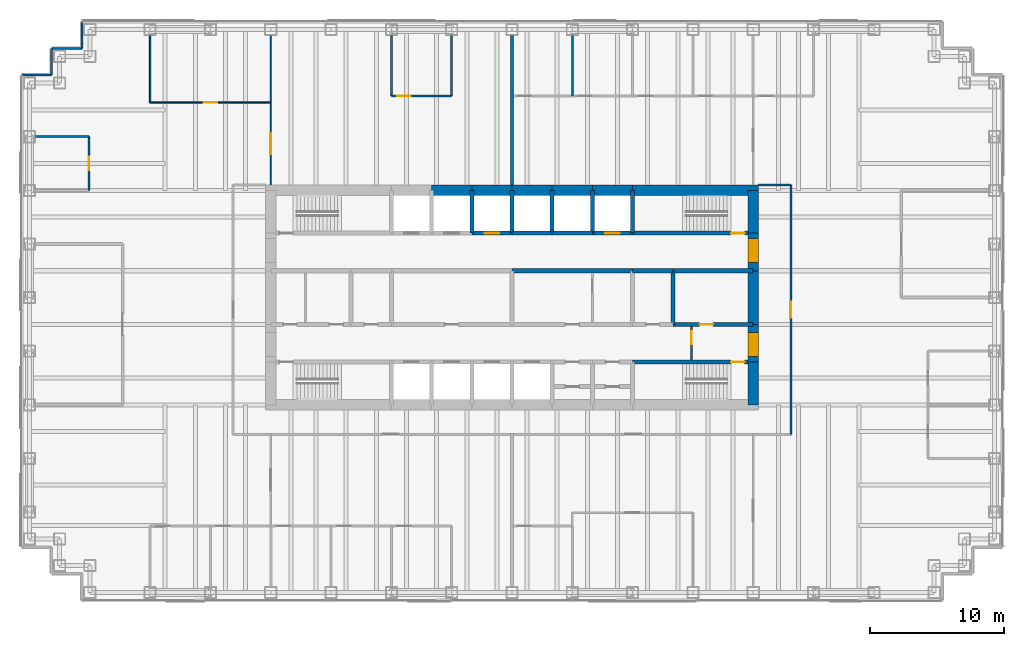
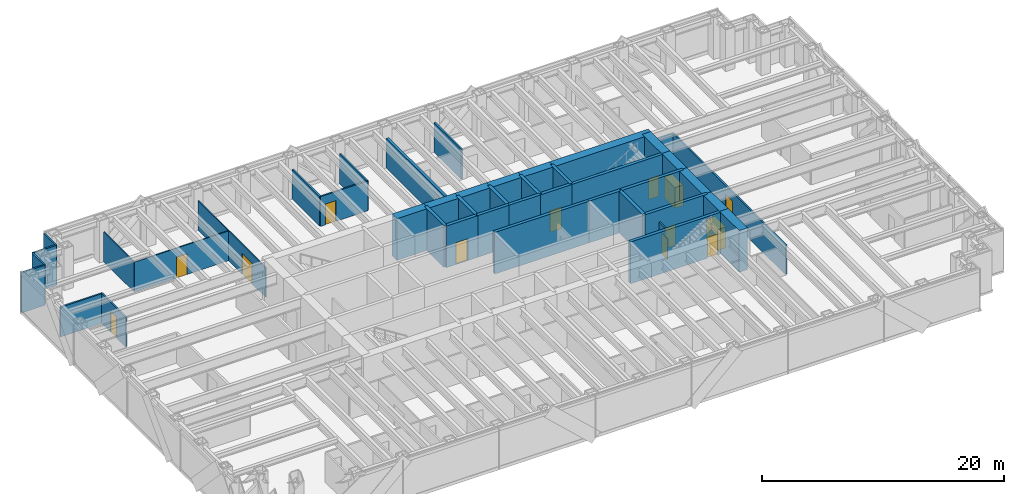
# One storey, part 13 of 15: 44 walls, 13 doors, 13 openings.
"""IFC4 building model written with IfcOpenShell, lengths in metres."""

import ifcopenshell
import ifcopenshell.guid

model = None  # the IFC model being written
_history = None  # IfcOwnerHistory: only IFC2X3 demands one
_inside = {}  # id of a spatial element -> (the spatial element, [elements in it])
_under = {}  # id of a project, library or spatial element -> (it, [spatial elements below it])
_declared = {}  # id of a project -> (the project, [libraries it declares])
_typed = {}  # id of a type object -> (the type object, [elements of that type])
_made_of = {}  # id of a material, layer set ... -> (it, [elements and type objects made of it])


def new_model(schema):
    """Start an empty IFC model of exactly this schema.

    Asked for "IFC4X3", IfcOpenShell would pick the latest addendum, in which some entities
    have other attributes; the version numbers below select the first issue.
    IFC2X3 requires an IfcOwnerHistory on every rooted entity: one is made here for all.
    """
    global model, _history
    if schema == "IFC4X3":
        model = ifcopenshell.file(schema_version=(4, 3, 0, 0))
    else:
        model = ifcopenshell.file(schema=schema)
    _inside.clear()
    _under.clear()
    _declared.clear()
    _typed.clear()
    _made_of.clear()
    _history = None
    if model.schema == "IFC2X3":
        org = make("IfcOrganization", Name="unknown")
        user = make(
            "IfcPersonAndOrganization",
            ThePerson=make("IfcPerson", FamilyName="unknown"),
            TheOrganization=org,
        )
        app = make(
            "IfcApplication",
            ApplicationDeveloper=org,
            Version="unknown",
            ApplicationFullName="unknown",
            ApplicationIdentifier="unknown",
        )
        _history = make(
            "IfcOwnerHistory",
            OwningUser=user,
            OwningApplication=app,
            ChangeAction="ADDED",
            CreationDate=0,
        )
    return model


def make(cls, **values):
    """One entity of the class cls with the attributes given. An attribute that is None is left unset."""
    return model.create_entity(
        cls, **{name: value for name, value in values.items() if value is not None}
    )


def rooted(cls, **values):
    """An entity with a GlobalId (a new one), such as an element, a storey or a relation."""
    return make(cls, GlobalId=ifcopenshell.guid.new(), OwnerHistory=_history, **values)


def si_unit(unit_type, name, prefix=None):
    """IfcSIUnit, for example si_unit("LENGTHUNIT", "METRE", prefix="MILLI")."""
    return make("IfcSIUnit", UnitType=unit_type, Prefix=prefix, Name=name)


def assignment(units):
    """IfcUnitAssignment: the units of a project."""
    return None if units is None else make("IfcUnitAssignment", Units=units)


def point(xyz):
    """IfcCartesianPoint."""
    return None if xyz is None else make("IfcCartesianPoint", Coordinates=xyz)


def direction(xyz):
    """IfcDirection."""
    return None if xyz is None else make("IfcDirection", DirectionRatios=xyz)


def frame(location, z_axis=None, x_axis=None):
    """IfcAxis2Placement3D, a coordinate frame: its origin and axes. An axis left out is left unset."""
    return make(
        "IfcAxis2Placement3D",
        Location=point(location),
        Axis=direction(z_axis),
        RefDirection=direction(x_axis),
    )


def frame_2d(location, x_axis=None):
    """IfcAxis2Placement2D, a coordinate frame in the plane: its origin and x axis."""
    return make(
        "IfcAxis2Placement2D", Location=point(location), RefDirection=direction(x_axis)
    )


def origin():
    """The frame at (0, 0, 0) with its axes left unset."""
    return frame((0.0, 0.0, 0.0))


def place(relative_to, where):
    """IfcLocalPlacement: puts the frame where relative to a parent placement (None: the world)."""
    return make(
        "IfcLocalPlacement", PlacementRelTo=relative_to, RelativePlacement=where
    )


def context(
    kind, dimensions, precision=None, world=None, true_north=None, identifier=None
):
    """IfcGeometricRepresentationContext, for example the 3D "Model" context."""
    return make(
        "IfcGeometricRepresentationContext",
        ContextIdentifier=identifier,
        ContextType=kind,
        CoordinateSpaceDimension=dimensions,
        Precision=precision,
        WorldCoordinateSystem=world,
        TrueNorth=true_north,
    )


def subcontext(parent, identifier, kind, view, scale=None):
    """IfcGeometricRepresentationSubContext, for example "Body" below "Model"."""
    return make(
        "IfcGeometricRepresentationSubContext",
        ContextIdentifier=identifier,
        ContextType=kind,
        ParentContext=parent,
        TargetScale=scale,
        TargetView=view,
    )


def project(units=None, contexts=None):
    """IfcProject with its units and contexts."""
    return rooted(
        "IfcProject",
        Name="project",
        RepresentationContexts=contexts,
        UnitsInContext=assignment(units),
    )


def spatial(cls, under=None, at=None, **own):
    """A site, building, storey or space (cls), placed at a placement, below another one or the project."""
    s = rooted(cls, ObjectPlacement=at, **own)
    if under is not None:
        _under.setdefault(under.id(), (under, []))[1].append(s)
    return s


def profile(cls, at=None, kind="AREA", **sizes):
    """A parametric profile (cls). Its sizes go by their IFC names, for example OverallWidth=200.0."""
    return make(cls, ProfileType=kind, Position=at, **sizes)


def rectangle(**sizes):
    """IfcRectangleProfileDef."""
    return profile("IfcRectangleProfileDef", **sizes)


def extrude(swept, where, along, depth):
    """IfcExtrudedAreaSolid: the profile swept, set in the frame where, extruded along a direction by depth."""
    return make(
        "IfcExtrudedAreaSolid",
        SweptArea=swept,
        Position=where,
        ExtrudedDirection=direction(along),
        Depth=depth,
    )


def shape(context_of_items, identifier, shape_type, items):
    """IfcShapeRepresentation: the items that make up one representation, for example the "Body"."""
    return make(
        "IfcShapeRepresentation",
        ContextOfItems=context_of_items,
        RepresentationIdentifier=identifier,
        RepresentationType=shape_type,
        Items=items,
    )


def material(Name=None, Category=None):
    """IfcMaterial."""
    return make("IfcMaterial", Name=Name, Category=Category)


def layer(
    of_material, thickness, ventilated=None, Name=None, Category=None, Priority=None
):
    """IfcMaterialLayer: one layer of a wall or slab, of a material (None: an air gap)."""
    return make(
        "IfcMaterialLayer",
        Material=of_material,
        LayerThickness=thickness,
        IsVentilated=ventilated,
        Name=Name,
        Category=Category,
        Priority=Priority,
    )


def layer_set(layers, Name=None):
    """IfcMaterialLayerSet."""
    return make("IfcMaterialLayerSet", MaterialLayers=layers, LayerSetName=Name)


def made_of(thing, what):
    """Note that an element or type object is made of a material, layer set ...; save() writes the relation."""
    if what is not None:
        _made_of.setdefault(what.id(), (what, []))[1].append(thing)
    return thing


def type_object(cls, material=None, **own):
    """A type object (cls), such as IfcWallType, which elements share."""
    return made_of(rooted(cls, **own), material)


def element(
    cls,
    number,
    at=None,
    inside=None,
    cuts=None,
    type_object=None,
    material=None,
    context=None,
    identifier="Body",
    shape_type=None,
    held_by="IfcProductDefinitionShape",
    body=None,
    shapes=None,
    **own,
):
    """One element of the class cls, such as IfcWall. Its Tag is "e" and its number.

    at: its placement. inside: the storey or other place that contains it. cuts: it is an
    opening in that element (IfcRelVoidsElement). A single representation is given by context,
    identifier, shape_type and body (its items); several are given by shapes. held_by: the class
    of the entity that holds the representations. save() writes the other relations.
    """
    e = rooted(cls, Tag="e%d" % number, ObjectPlacement=at, **own)
    if body is not None:
        shapes = [shape(context, identifier, shape_type, body)]
    if shapes is not None:
        e.Representation = make(held_by, Representations=shapes)
    if inside is not None:
        _inside.setdefault(inside.id(), (inside, []))[1].append(e)
    if cuts is not None:
        rooted(
            "IfcRelVoidsElement", RelatingBuildingElement=cuts, RelatedOpeningElement=e
        )
    if type_object is not None:
        _typed.setdefault(type_object.id(), (type_object, []))[1].append(e)
    return made_of(e, material)


def fill(opening, filler):
    """IfcRelFillsElement: the door or window that sits in an opening."""
    return rooted(
        "IfcRelFillsElement",
        RelatingOpeningElement=opening,
        RelatedBuildingElement=filler,
    )


def aggregate(whole, parts):
    """IfcRelAggregates: a whole, such as a stair, and the parts it consists of."""
    return rooted("IfcRelAggregates", RelatingObject=whole, RelatedObjects=parts)


def save(model, path):
    """Write the relations noted so far, then the file.

    IfcRelAggregates (storeys below a building ...), IfcRelContainedInSpatialStructure (elements
    in a storey), IfcRelDefinesByType, IfcRelAssociatesMaterial and IfcRelDeclares: one each for
    every whole, place, type object, material and project.
    """
    for whole, parts in _under.values():
        aggregate(whole, parts)
    for where, things in _inside.values():
        rooted(
            "IfcRelContainedInSpatialStructure",
            RelatedElements=things,
            RelatingStructure=where,
        )
    for kind, things in _typed.values():
        rooted("IfcRelDefinesByType", RelatedObjects=things, RelatingType=kind)
    for what, things in _made_of.values():
        rooted("IfcRelAssociatesMaterial", RelatedObjects=things, RelatingMaterial=what)
    for by, libraries in _declared.values():
        rooted("IfcRelDeclares", RelatingContext=by, RelatedDefinitions=libraries)
    model.write(path)


model = new_model("IFC4")

# Units and contexts
model_context = context("Model", 3, precision=1e-05, world=origin(), true_north=direction((0.0, 1.0)))
body_context = subcontext(model_context, "Body", "Model", "MODEL_VIEW")
ifc_project = project(units=[si_unit("LENGTHUNIT", "METRE"), si_unit("AREAUNIT", "SQUARE_METRE"), si_unit("VOLUMEUNIT", "CUBIC_METRE"), si_unit("PLANEANGLEUNIT", "RADIAN"), si_unit("MASSUNIT", "GRAM", prefix="KILO")], contexts=[model_context])

# Site, building, storey
site_placement = place(None, origin())
site = spatial("IfcSite", under=ifc_project, at=site_placement, CompositionType="ELEMENT")
building_placement = place(site_placement, origin())
building = spatial("IfcBuilding", under=site, at=building_placement, Name="Rheinbord Bourse Tower", CompositionType="ELEMENT")
storey_placement = place(building_placement, frame((0.0, 0.0, 248.800048828125)))
storey = spatial("IfcBuildingStorey", under=building, at=storey_placement, Name="L56", CompositionType="ELEMENT", Elevation=248.800048828125)

# Wall, opening, door
ifc_material_1 = material(Name="Concrete C50/60", Category="concrete")
ifc_layer_1 = layer(ifc_material_1, 0.300048828125)
ifc_layer_set_1 = layer_set([ifc_layer_1], Name="CORE INNER WALL 300")
wall_type_1 = type_object("IfcWallType", Name="CORE INNER WALL 300", PredefinedType="SOLIDWALL", material=ifc_layer_set_1)
wall_1_placement = place(storey_placement, frame((45.0, 19.199951171875, 0.0), z_axis=(0.0, 0.0, 1.0), x_axis=(1.0, 0.0, 0.0)))
wall_1 = element("IfcWall", 1, at=wall_1_placement, inside=storey, type_object=wall_type_1, Name="Core wall A8 L56", PredefinedType="SOLIDWALL", context=body_context, shape_type="SweptSolid", body=[
    extrude(rectangle(XDim=9.0, YDim=0.300048828125, at=frame_2d((4.5, 0.0))), origin(), (0.0, 0.0, 1.0), 4.199951171875),
])
opening_1_placement = place(wall_1_placement, frame((7.35009765625, 0.0, 0.0)))
opening_1 = element("IfcOpeningElement", 2, at=opening_1_placement, cuts=wall_1, Name="Opening 5630", PredefinedType="OPENING", context=body_context, shape_type="SweptSolid", body=[
    extrude(rectangle(XDim=1.0, YDim=2.10009765625, at=frame_2d((0.5, 1.050048828125))), frame((0.0, 0.159912109375, 0.0), z_axis=(0.0, -1.0, 0.0), x_axis=(1.0, 0.0, 0.0)), (0.0, 0.0, 1.0), 0.320068359375),
])
ifc_material_2 = material(Name="Steel door", Category="steel")
door_type_1 = type_object("IfcDoorType", Name="DOOR 1000 EI30", OperationType="SINGLE_SWING_LEFT", PredefinedType="DOOR", material=ifc_material_2)
door_1_placement = place(opening_1_placement, origin())
door_1 = element("IfcDoor", 3, at=door_1_placement, inside=storey, type_object=door_type_1, Name="Stair door ST3 L56", OperationType="SINGLE_SWING_RIGHT", OverallHeight=2.10009765625, OverallWidth=1.0, PredefinedType="DOOR", context=body_context, shape_type="SweptSolid", body=[
    extrude(rectangle(XDim=1.0, YDim=2.10009765625, at=frame_2d((0.5, 1.050048828125))), frame((0.0, 0.02490234375, 0.0), z_axis=(0.0, -1.0, 0.0), x_axis=(1.0, 0.0, 0.0)), (0.0, 0.0, 1.0), 0.050048828125),
])
fill(opening_1, door_1)

wall_2_placement = place(storey_placement, frame((33.0, 28.800048828125, 0.0), z_axis=(0.0, 0.0, 1.0), x_axis=(1.0, 0.0, 0.0)))
wall_2 = element("IfcWall", 4, at=wall_2_placement, inside=storey, type_object=wall_type_1, Name="Core wall B4 L56", PredefinedType="SOLIDWALL", context=body_context, shape_type="SweptSolid", body=[
    extrude(rectangle(XDim=3.0, YDim=0.300048828125, at=frame_2d((1.5, 0.0))), origin(), (0.0, 0.0, 1.0), 4.199951171875),
])
opening_2_placement = place(wall_2_placement, frame((0.949951171875, 0.0, 0.0)))
opening_2 = element("IfcOpeningElement", 5, at=opening_2_placement, cuts=wall_2, Name="Opening PC5", PredefinedType="OPENING", context=body_context, shape_type="SweptSolid", body=[
    extrude(rectangle(XDim=1.10009765625, YDim=2.199951171875, at=frame_2d((0.550048828125, 1.10009765625))), frame((0.0, 0.159912109375, 0.0), z_axis=(0.0, -1.0, 0.0), x_axis=(1.0, 0.0, 0.0)), (0.0, 0.0, 1.0), 0.320068359375),
])
ifc_material_3 = material(Name="Steel landing door", Category="steel")
door_type_2 = type_object("IfcDoorType", Name="LIFT LANDING DOOR 1100", OperationType="DOUBLE_DOOR_SLIDING", PredefinedType="USERDEFINED", material=ifc_material_3)
door_2_placement = place(opening_2_placement, origin())
door_2 = element("IfcDoor", 6, at=door_2_placement, inside=storey, type_object=door_type_2, Name="Lift landing door PC5 L56", ObjectType="LIFT LANDING DOOR", OperationType="DOUBLE_DOOR_SLIDING", OverallHeight=2.199951171875, OverallWidth=1.10009765625, PredefinedType="USERDEFINED", context=body_context, shape_type="SweptSolid", body=[
    extrude(rectangle(XDim=1.10009765625, YDim=2.199951171875, at=frame_2d((0.550048828125, 1.10009765625))), frame((0.0, 0.02490234375, 0.0), z_axis=(0.0, -1.0, 0.0), x_axis=(1.0, 0.0, 0.0)), (0.0, 0.0, 1.0), 0.050048828125),
])
fill(opening_2, door_2)

# Walls
for number, where, z_axis, x_axis, name in (
    (7, (36.0, 28.800048828125, 0.0), (0.0, 0.0, 1.0), (1.0, 0.0, 0.0), "Core wall B5 L56"),
    (8, (39.0, 28.800048828125, 0.0), (0.0, 0.0, 1.0), (1.0, 0.0, 0.0), "Core wall B6 L56"),
):
    element("IfcWall", number, at=place(storey_placement, frame(where, z_axis=z_axis, x_axis=x_axis)), inside=storey, type_object=wall_type_1, Name=name, PredefinedType="SOLIDWALL", context=body_context, shape_type="SweptSolid", body=[
        extrude(rectangle(XDim=3.0, YDim=0.300048828125, at=frame_2d((1.5, 0.0))), origin(), (0.0, 0.0, 1.0), 4.199951171875),
    ])

# Wall, opening, door
wall_3_placement = place(storey_placement, frame((42.0, 28.800048828125, 0.0), z_axis=(0.0, 0.0, 1.0), x_axis=(1.0, 0.0, 0.0)))
wall_3 = element("IfcWall", 9, at=wall_3_placement, inside=storey, type_object=wall_type_1, Name="Core wall B7 L56", PredefinedType="SOLIDWALL", context=body_context, shape_type="SweptSolid", body=[
    extrude(rectangle(XDim=3.0, YDim=0.300048828125, at=frame_2d((1.5, 0.0))), origin(), (0.0, 0.0, 1.0), 4.199951171875),
])
opening_3_placement = place(wall_3_placement, frame((0.949951171875, 0.0, 0.0)))
opening_3 = element("IfcOpeningElement", 10, at=opening_3_placement, cuts=wall_3, Name="Opening FL2", PredefinedType="OPENING", context=body_context, shape_type="SweptSolid", body=[
    extrude(rectangle(XDim=1.10009765625, YDim=2.199951171875, at=frame_2d((0.550048828125, 1.10009765625))), frame((0.0, 0.159912109375, 0.0), z_axis=(0.0, -1.0, 0.0), x_axis=(1.0, 0.0, 0.0)), (0.0, 0.0, 1.0), 0.320068359375),
])
door_3_placement = place(opening_3_placement, origin())
door_3 = element("IfcDoor", 11, at=door_3_placement, inside=storey, type_object=door_type_2, Name="Lift landing door FL2 L56", ObjectType="LIFT LANDING DOOR", OperationType="DOUBLE_DOOR_SLIDING", OverallHeight=2.199951171875, OverallWidth=1.10009765625, PredefinedType="USERDEFINED", context=body_context, shape_type="SweptSolid", body=[
    extrude(rectangle(XDim=1.10009765625, YDim=2.199951171875, at=frame_2d((0.550048828125, 1.10009765625))), frame((0.0, 0.02490234375, 0.0), z_axis=(0.0, -1.0, 0.0), x_axis=(1.0, 0.0, 0.0)), (0.0, 0.0, 1.0), 0.050048828125),
])
fill(opening_3, door_3)

wall_4_placement = place(storey_placement, frame((45.0, 28.800048828125, 0.0), z_axis=(0.0, 0.0, 1.0), x_axis=(1.0, 0.0, 0.0)))
wall_4 = element("IfcWall", 12, at=wall_4_placement, inside=storey, type_object=wall_type_1, Name="Core wall B8 L56", PredefinedType="SOLIDWALL", context=body_context, shape_type="SweptSolid", body=[
    extrude(rectangle(XDim=9.0, YDim=0.300048828125, at=frame_2d((4.5, 0.0))), origin(), (0.0, 0.0, 1.0), 4.199951171875),
])
opening_4_placement = place(wall_4_placement, frame((7.35009765625, 0.0, 0.0)))
opening_4 = element("IfcOpeningElement", 13, at=opening_4_placement, cuts=wall_4, Name="Opening 5640", PredefinedType="OPENING", context=body_context, shape_type="SweptSolid", body=[
    extrude(rectangle(XDim=1.0, YDim=2.10009765625, at=frame_2d((0.5, 1.050048828125))), frame((0.0, 0.159912109375, 0.0), z_axis=(0.0, -1.0, 0.0), x_axis=(1.0, 0.0, 0.0)), (0.0, 0.0, 1.0), 0.320068359375),
])
door_4_placement = place(opening_4_placement, origin())
door_4 = element("IfcDoor", 14, at=door_4_placement, inside=storey, type_object=door_type_1, Name="Stair door ST4 L56", OperationType="SINGLE_SWING_RIGHT", OverallHeight=2.10009765625, OverallWidth=1.0, PredefinedType="DOOR", context=body_context, shape_type="SweptSolid", body=[
    extrude(rectangle(XDim=1.0, YDim=2.10009765625, at=frame_2d((0.5, 1.050048828125))), frame((0.0, 0.02490234375, 0.0), z_axis=(0.0, -1.0, 0.0), x_axis=(1.0, 0.0, 0.0)), (0.0, 0.0, 1.0), 0.050048828125),
])
fill(opening_4, door_4)

wall_5_placement = place(storey_placement, frame((48.0, 22.0, 0.0), z_axis=(0.0, 0.0, 1.0), x_axis=(1.0, 0.0, 0.0)))
wall_5 = element("IfcWall", 15, at=wall_5_placement, inside=storey, type_object=wall_type_1, Name="Core wall C6 L56", PredefinedType="SOLIDWALL", context=body_context, shape_type="SweptSolid", body=[
    extrude(rectangle(XDim=6.0, YDim=0.300048828125, at=frame_2d((3.0, 0.0))), origin(), (0.0, 0.0, 1.0), 4.199951171875),
])
opening_5_placement = place(wall_5_placement, frame((2.0, 0.0, 0.0)))
opening_5 = element("IfcOpeningElement", 16, at=opening_5_placement, cuts=wall_5, Name="Opening 56R6", PredefinedType="OPENING", context=body_context, shape_type="SweptSolid", body=[
    extrude(rectangle(XDim=1.0, YDim=2.10009765625, at=frame_2d((0.5, 1.050048828125))), frame((0.0, 0.159912109375, 0.0), z_axis=(0.0, -1.0, 0.0), x_axis=(1.0, 0.0, 0.0)), (0.0, 0.0, 1.0), 0.320068359375),
])
ifc_material_4 = material(Name="Timber door", Category="wood")
door_type_3 = type_object("IfcDoorType", Name="DOOR 1000 WC", OperationType="SINGLE_SWING_LEFT", PredefinedType="DOOR", material=ifc_material_4)
door_5_placement = place(opening_5_placement, origin())
door_5 = element("IfcDoor", 17, at=door_5_placement, inside=storey, type_object=door_type_3, Name="WC women door L56", OperationType="SINGLE_SWING_LEFT", OverallHeight=2.10009765625, OverallWidth=1.0, PredefinedType="DOOR", context=body_context, shape_type="SweptSolid", body=[
    extrude(rectangle(XDim=1.0, YDim=2.10009765625, at=frame_2d((0.5, 1.050048828125))), frame((0.0, 0.02490234375, 0.0), z_axis=(0.0, -1.0, 0.0), x_axis=(1.0, 0.0, 0.0)), (0.0, 0.0, 1.0), 0.050048828125),
])
fill(opening_5, door_5)

# Walls
wall_6_placement = place(storey_placement, frame((36.0, 26.0, 0.0), z_axis=(0.0, 0.0, 1.0), x_axis=(1.0, 0.0, 0.0)))
element("IfcWall", 18, at=wall_6_placement, inside=storey, type_object=wall_type_1, Name="Core wall D4 L56", PredefinedType="SOLIDWALL", context=body_context, shape_type="SweptSolid", body=[
    extrude(rectangle(XDim=9.0, YDim=0.300048828125, at=frame_2d((4.5, 0.0))), origin(), (0.0, 0.0, 1.0), 4.199951171875),
])
wall_7_placement = place(storey_placement, frame((45.0, 26.0, 0.0), z_axis=(0.0, 0.0, 1.0), x_axis=(1.0, 0.0, 0.0)))
element("IfcWall", 19, at=wall_7_placement, inside=storey, type_object=wall_type_1, Name="Core wall D5 L56", PredefinedType="SOLIDWALL", context=body_context, shape_type="SweptSolid", body=[
    extrude(rectangle(XDim=3.0, YDim=0.300048828125, at=frame_2d((1.5, 0.0))), origin(), (0.0, 0.0, 1.0), 4.199951171875),
])
wall_8_placement = place(storey_placement, frame((48.0, 26.0, 0.0), z_axis=(0.0, 0.0, 1.0), x_axis=(1.0, 0.0, 0.0)))
element("IfcWall", 20, at=wall_8_placement, inside=storey, type_object=wall_type_1, Name="Core wall D6 L56", PredefinedType="SOLIDWALL", context=body_context, shape_type="SweptSolid", body=[
    extrude(rectangle(XDim=6.0, YDim=0.300048828125, at=frame_2d((3.0, 0.0))), origin(), (0.0, 0.0, 1.0), 4.199951171875),
])
for number, where, z_axis, x_axis, name in (
    (21, (33.0, 28.800048828125, 0.0), (0.0, 0.0, 1.0), (0.0, 1.0, 0.0), "Core wall NX33 L56"),
    (22, (36.0, 28.800048828125, 0.0), (0.0, 0.0, 1.0), (0.0, 1.0, 0.0), "Core wall NX36 L56"),
    (23, (39.0, 28.800048828125, 0.0), (0.0, 0.0, 1.0), (0.0, 1.0, 0.0), "Core wall NX39 L56"),
    (24, (42.0, 28.800048828125, 0.0), (0.0, 0.0, 1.0), (0.0, 1.0, 0.0), "Core wall NX42 L56"),
    (25, (45.0, 28.800048828125, 0.0), (0.0, 0.0, 1.0), (0.0, 1.0, 0.0), "Core wall NX45 L56"),
):
    element("IfcWall", number, at=place(storey_placement, frame(where, z_axis=z_axis, x_axis=x_axis)), inside=storey, type_object=wall_type_1, Name=name, PredefinedType="SOLIDWALL", context=body_context, shape_type="SweptSolid", body=[
        extrude(rectangle(XDim=3.199951171875, YDim=0.300048828125, at=frame_2d((1.60009765625, 0.0))), origin(), (0.0, 0.0, 1.0), 4.199951171875),
    ])
wall_9_placement = place(storey_placement, frame((48.0, 22.0, 0.0), z_axis=(0.0, 0.0, 1.0), x_axis=(0.0, 1.0, 0.0)))
element("IfcWall", 26, at=wall_9_placement, inside=storey, type_object=wall_type_1, Name="Core wall MX48 L56", PredefinedType="SOLIDWALL", context=body_context, shape_type="SweptSolid", body=[
    extrude(rectangle(XDim=4.0, YDim=0.300048828125, at=frame_2d((2.0, 0.0))), origin(), (0.0, 0.0, 1.0), 4.199951171875),
])

# Wall, opening, door
ifc_material_5 = material(Name="Gypsum board fire partition", Category="gypsum board")
ifc_layer_2 = layer(ifc_material_5, 0.14990234375)
ifc_layer_set_2 = layer_set([ifc_layer_2], Name="CORE PARTITION 150 EI30")
wall_type_2 = type_object("IfcWallType", Name="CORE PARTITION 150 EI30", PredefinedType="PARTITIONING", material=ifc_layer_set_2)
wall_10_placement = place(storey_placement, frame((49.39990234375, 19.35009765625, 0.0), z_axis=(0.0, 0.0, 1.0), x_axis=(0.0, 1.0, 0.0)))
wall_10 = element("IfcWall", 27, at=wall_10_placement, inside=storey, type_object=wall_type_2, Name="Core partition L56-4", PredefinedType="PARTITIONING", context=body_context, shape_type="SweptSolid", body=[
    extrude(rectangle(XDim=2.5, YDim=0.14990234375, at=frame_2d((1.25, 0.0))), origin(), (0.0, 0.0, 1.0), 3.0),
])
opening_6_placement = place(wall_10_placement, frame((1.14990234375, 0.0, 0.0)))
opening_6 = element("IfcOpeningElement", 28, at=opening_6_placement, cuts=wall_10, Name="Opening 56L5", PredefinedType="OPENING", context=body_context, shape_type="SweptSolid", body=[
    extrude(rectangle(XDim=1.0, YDim=2.10009765625, at=frame_2d((0.5, 1.050048828125))), frame((0.0, 0.0849609375, 0.0), z_axis=(0.0, -1.0, 0.0), x_axis=(1.0, 0.0, 0.0)), (0.0, 0.0, 1.0), 0.169921875),
])
door_6_placement = place(opening_6_placement, origin())
door_6 = element("IfcDoor", 29, at=door_6_placement, inside=storey, type_object=door_type_1, Name="Stair lobby door L56", OperationType="SINGLE_SWING_RIGHT", OverallHeight=2.10009765625, OverallWidth=1.0, PredefinedType="DOOR", context=body_context, shape_type="SweptSolid", body=[
    extrude(rectangle(XDim=1.0, YDim=2.10009765625, at=frame_2d((0.5, 1.050048828125))), frame((0.0, 0.02490234375, 0.0), z_axis=(0.0, -1.0, 0.0), x_axis=(1.0, 0.0, 0.0)), (0.0, 0.0, 1.0), 0.050048828125),
])
fill(opening_6, door_6)

# Walls
ifc_material_6 = material(Name="Concrete C50/60", Category="concrete")
ifc_layer_3 = layer(ifc_material_6, 0.800048828125)
ifc_layer_set_3 = layer_set([ifc_layer_3], Name="CORE WALL 800")
wall_type_3 = type_object("IfcWallType", Name="CORE WALL 800", PredefinedType="SHEAR", material=ifc_layer_set_3)
wall_11_placement = place(storey_placement, frame((54.39990234375, 32.0, 0.0), z_axis=(0.0, 0.0, 1.0), x_axis=(-1.0, 0.0, 0.0)))
element("IfcWall", 30, at=wall_11_placement, inside=storey, type_object=wall_type_3, Name="Core wall N1 L56", PredefinedType="SHEAR", context=body_context, shape_type="SweptSolid", body=[
    extrude(rectangle(XDim=9.39990234375, YDim=0.800048828125, at=frame_2d((4.699951171875, 0.0))), origin(), (0.0, 0.0, 1.0), 4.199951171875),
])
for number, where, z_axis, x_axis, name in (
    (31, (45.0, 32.0, 0.0), (0.0, 0.0, 1.0), (-1.0, 0.0, 0.0), "Core wall N2 L56"),
    (32, (42.0, 32.0, 0.0), (0.0, 0.0, 1.0), (-1.0, 0.0, 0.0), "Core wall N3 L56"),
    (33, (39.0, 32.0, 0.0), (0.0, 0.0, 1.0), (-1.0, 0.0, 0.0), "Core wall N4 L56"),
    (34, (36.0, 32.0, 0.0), (0.0, 0.0, 1.0), (-1.0, 0.0, 0.0), "Core wall N5 L56"),
    (35, (33.0, 32.0, 0.0), (0.0, 0.0, 1.0), (-1.0, 0.0, 0.0), "Core wall N6 L56"),
):
    element("IfcWall", number, at=place(storey_placement, frame(where, z_axis=z_axis, x_axis=x_axis)), inside=storey, type_object=wall_type_3, Name=name, PredefinedType="SHEAR", context=body_context, shape_type="SweptSolid", body=[
        extrude(rectangle(XDim=3.0, YDim=0.800048828125, at=frame_2d((1.5, 0.0))), origin(), (0.0, 0.0, 1.0), 4.199951171875),
    ])
wall_12_placement = place(storey_placement, frame((54.0, 16.0, 0.0), z_axis=(0.0, 0.0, 1.0), x_axis=(0.0, 1.0, 0.0)))
element("IfcWall", 36, at=wall_12_placement, inside=storey, type_object=wall_type_3, Name="Core wall E1 L56", PredefinedType="SHEAR", context=body_context, shape_type="SweptSolid", body=[
    extrude(rectangle(XDim=3.199951171875, YDim=0.800048828125, at=frame_2d((1.60009765625, 0.0))), origin(), (0.0, 0.0, 1.0), 4.199951171875),
])

# Wall, opening, door
wall_13_placement = place(storey_placement, frame((54.0, 19.199951171875, 0.0), z_axis=(0.0, 0.0, 1.0), x_axis=(0.0, 1.0, 0.0)))
wall_13 = element("IfcWall", 37, at=wall_13_placement, inside=storey, type_object=wall_type_3, Name="Core wall E2 L56", PredefinedType="SHEAR", context=body_context, shape_type="SweptSolid", body=[
    extrude(rectangle(XDim=2.800048828125, YDim=0.800048828125, at=frame_2d((1.39990234375, 0.0))), origin(), (0.0, 0.0, 1.0), 4.199951171875),
])
opening_7_placement = place(wall_13_placement, frame((0.39990234375, 0.0, 0.0)))
opening_7 = element("IfcOpeningElement", 38, at=opening_7_placement, cuts=wall_13, Name="Opening 56L3", PredefinedType="OPENING", context=body_context, shape_type="SweptSolid", body=[
    extrude(rectangle(XDim=1.800048828125, YDim=2.10009765625, at=frame_2d((0.89990234375, 1.050048828125))), frame((0.0, 0.409912109375, 0.0), z_axis=(0.0, -1.0, 0.0), x_axis=(1.0, 0.0, 0.0)), (0.0, 0.0, 1.0), 0.820068359375),
])
ifc_material_7 = material(Name="Steel door", Category="steel")
door_type_4 = type_object("IfcDoorType", Name="DOOR 1800 EI30 DOUBLE", OperationType="DOUBLE_DOOR_DOUBLE_SWING", PredefinedType="DOOR", material=ifc_material_7)
door_7_placement = place(opening_7_placement, origin())
door_7 = element("IfcDoor", 39, at=door_7_placement, inside=storey, type_object=door_type_4, Name="Lobby door 3 L56", OperationType="SINGLE_SWING_LEFT", OverallHeight=2.10009765625, OverallWidth=1.800048828125, PredefinedType="DOOR", context=body_context, shape_type="SweptSolid", body=[
    extrude(rectangle(XDim=1.800048828125, YDim=2.10009765625, at=frame_2d((0.89990234375, 1.050048828125))), frame((0.0, 0.39990234375, 0.0), z_axis=(0.0, -1.0, 0.0), x_axis=(1.0, 0.0, 0.0)), (0.0, 0.0, 1.0), 0.799560546875),
])
fill(opening_7, door_7)

# Wall
wall_14_placement = place(storey_placement, frame((54.0, 22.0, 0.0), z_axis=(0.0, 0.0, 1.0), x_axis=(0.0, 1.0, 0.0)))
element("IfcWall", 40, at=wall_14_placement, inside=storey, type_object=wall_type_3, Name="Core wall E3 L56", PredefinedType="SHEAR", context=body_context, shape_type="SweptSolid", body=[
    extrude(rectangle(XDim=4.0, YDim=0.800048828125, at=frame_2d((2.0, 0.0))), origin(), (0.0, 0.0, 1.0), 4.199951171875),
])

# Wall, opening, door
wall_15_placement = place(storey_placement, frame((54.0, 26.0, 0.0), z_axis=(0.0, 0.0, 1.0), x_axis=(0.0, 1.0, 0.0)))
wall_15 = element("IfcWall", 41, at=wall_15_placement, inside=storey, type_object=wall_type_3, Name="Core wall E4 L56", PredefinedType="SHEAR", context=body_context, shape_type="SweptSolid", body=[
    extrude(rectangle(XDim=2.800048828125, YDim=0.800048828125, at=frame_2d((1.39990234375, 0.0))), origin(), (0.0, 0.0, 1.0), 4.199951171875),
])
opening_8_placement = place(wall_15_placement, frame((0.60009765625, 0.0, 0.0)))
opening_8 = element("IfcOpeningElement", 42, at=opening_8_placement, cuts=wall_15, Name="Opening 56L4", PredefinedType="OPENING", context=body_context, shape_type="SweptSolid", body=[
    extrude(rectangle(XDim=1.800048828125, YDim=2.10009765625, at=frame_2d((0.89990234375, 1.050048828125))), frame((0.0, 0.409912109375, 0.0), z_axis=(0.0, -1.0, 0.0), x_axis=(1.0, 0.0, 0.0)), (0.0, 0.0, 1.0), 0.820068359375),
])
door_8_placement = place(opening_8_placement, origin())
door_8 = element("IfcDoor", 43, at=door_8_placement, inside=storey, type_object=door_type_4, Name="Lobby door 4 L56", OperationType="SINGLE_SWING_LEFT", OverallHeight=2.10009765625, OverallWidth=1.800048828125, PredefinedType="DOOR", context=body_context, shape_type="SweptSolid", body=[
    extrude(rectangle(XDim=1.800048828125, YDim=2.10009765625, at=frame_2d((0.89990234375, 1.050048828125))), frame((0.0, 0.39990234375, 0.0), z_axis=(0.0, -1.0, 0.0), x_axis=(1.0, 0.0, 0.0)), (0.0, 0.0, 1.0), 0.799560546875),
])
fill(opening_8, door_8)

# Walls
wall_16_placement = place(storey_placement, frame((54.0, 28.800048828125, 0.0), z_axis=(0.0, 0.0, 1.0), x_axis=(0.0, 1.0, 0.0)))
element("IfcWall", 44, at=wall_16_placement, inside=storey, type_object=wall_type_3, Name="Core wall E5 L56", PredefinedType="SHEAR", context=body_context, shape_type="SweptSolid", body=[
    extrude(rectangle(XDim=3.199951171875, YDim=0.800048828125, at=frame_2d((1.60009765625, 0.0))), origin(), (0.0, 0.0, 1.0), 4.199951171875),
])
ifc_material_8 = material(Name="Black metal rainscreen panel", Category="aluminium")
ifc_layer_4 = layer(ifc_material_8, 0.14990234375)
ifc_layer_set_4 = layer_set([ifc_layer_4], Name="CORNER PIER CLADDING 150")
wall_type_4 = type_object("IfcWallType", Name="CORNER PIER CLADDING 150", PredefinedType="ELEMENTEDWALL", material=ifc_layer_set_4)
wall_17_placement = place(storey_placement, frame((3.89990234375, 44.60009765625, 0.0), z_axis=(0.0, 0.0, 1.0), x_axis=(0.0, -1.0, 0.0)))
element("IfcWall", 45, at=wall_17_placement, inside=storey, type_object=wall_type_4, Name="Corner pier cladding L56 12", PredefinedType="ELEMENTEDWALL", context=body_context, shape_type="SweptSolid", body=[
    extrude(rectangle(XDim=2.0, YDim=0.14990234375, at=frame_2d((1.0, 0.0))), origin(), (0.0, 0.0, 1.0), 4.0400390625),
])
wall_18_placement = place(storey_placement, frame((3.89990234375, 42.60009765625, 0.0), z_axis=(0.0, 0.0, 1.0), x_axis=(-1.0, 0.0, 0.0)))
element("IfcWall", 46, at=wall_18_placement, inside=storey, type_object=wall_type_4, Name="Corner pier cladding L56 13", PredefinedType="ELEMENTEDWALL", context=body_context, shape_type="SweptSolid", body=[
    extrude(rectangle(XDim=2.25, YDim=0.14990234375, at=frame_2d((1.125, 0.0))), origin(), (0.0, 0.0, 1.0), 4.0400390625),
])
wall_19_placement = place(storey_placement, frame((1.64990234375, 42.60009765625, 0.0), z_axis=(0.0, 0.0, 1.0), x_axis=(0.0, -1.0, 0.0)))
element("IfcWall", 47, at=wall_19_placement, inside=storey, type_object=wall_type_4, Name="Corner pier cladding L56 14", PredefinedType="ELEMENTEDWALL", context=body_context, shape_type="SweptSolid", body=[
    extrude(rectangle(XDim=2.0, YDim=0.14990234375, at=frame_2d((1.0, 0.0))), origin(), (0.0, 0.0, 1.0), 4.0400390625),
])
wall_20_placement = place(storey_placement, frame((1.64990234375, 40.60009765625, 0.0), z_axis=(0.0, 0.0, 1.0), x_axis=(-1.0, 0.0, 0.0)))
element("IfcWall", 48, at=wall_20_placement, inside=storey, type_object=wall_type_4, Name="Corner pier cladding L56 15", PredefinedType="ELEMENTEDWALL", context=body_context, shape_type="SweptSolid", body=[
    extrude(rectangle(XDim=2.25, YDim=0.14990234375, at=frame_2d((1.125, 0.0))), origin(), (0.0, 0.0, 1.0), 4.0400390625),
])
ifc_material_9 = material(Name="Gypsum board corridor partition", Category="gypsum board")
ifc_layer_5 = layer(ifc_material_9, 0.14990234375)
ifc_layer_set_5 = layer_set([ifc_layer_5], Name="CORRIDOR PARTITION 150 EI30")
wall_type_5 = type_object("IfcWallType", Name="CORRIDOR PARTITION 150 EI30", PredefinedType="PARTITIONING", material=ifc_layer_set_5)
wall_21_placement = place(storey_placement, frame((54.39990234375, 32.39990234375, 0.0), z_axis=(0.0, 0.0, 1.0), x_axis=(1.0, 0.0, 0.0)))
element("IfcWall", 49, at=wall_21_placement, inside=storey, type_object=wall_type_5, Name="Partition L56-14", PredefinedType="PARTITIONING", context=body_context, shape_type="SweptSolid", body=[
    extrude(rectangle(XDim=2.400146484375, YDim=0.14990234375, at=frame_2d((1.2001953125, 0.0))), origin(), (0.0, 0.0, 1.0), 3.0),
])

# Wall, opening, door
wall_22_placement = place(storey_placement, frame((56.800048828125, 13.800048828125, 0.0), z_axis=(0.0, 0.0, 1.0), x_axis=(0.0, 1.0, 0.0)))
wall_22 = element("IfcWall", 50, at=wall_22_placement, inside=storey, type_object=wall_type_5, Name="Partition L56-44", PredefinedType="PARTITIONING", context=body_context, shape_type="SweptSolid", body=[
    extrude(rectangle(XDim=18.599853515625, YDim=0.14990234375, at=frame_2d((9.2998046875, 0.0))), origin(), (0.0, 0.0, 1.0), 3.0),
])
opening_9_placement = place(wall_22_placement, frame((8.699951171875, 0.0, 0.0)))
opening_9 = element("IfcOpeningElement", 51, at=opening_9_placement, cuts=wall_22, Name="Opening 56D25", PredefinedType="OPENING", context=body_context, shape_type="SweptSolid", body=[
    extrude(rectangle(XDim=1.199951171875, YDim=2.10009765625, at=frame_2d((0.60009765625, 1.050048828125))), frame((0.0, 0.0849609375, 0.0), z_axis=(0.0, -1.0, 0.0), x_axis=(1.0, 0.0, 0.0)), (0.0, 0.0, 1.0), 0.169921875),
])
ifc_material_10 = material(Name="Timber fire door", Category="wood")
door_type_5 = type_object("IfcDoorType", Name="SUITE ENTRANCE DOOR 1200 EI30", OperationType="SINGLE_SWING_LEFT", PredefinedType="DOOR", material=ifc_material_10)
door_9_placement = place(opening_9_placement, origin())
door_9 = element("IfcDoor", 52, at=door_9_placement, inside=storey, type_object=door_type_5, Name="Suite entrance 2 door L56", OperationType="SINGLE_SWING_LEFT", OverallHeight=2.10009765625, OverallWidth=1.199951171875, PredefinedType="DOOR", context=body_context, shape_type="SweptSolid", body=[
    extrude(rectangle(XDim=1.199951171875, YDim=2.10009765625, at=frame_2d((0.60009765625, 1.050048828125))), frame((0.0, 0.02490234375, 0.0), z_axis=(0.0, -1.0, 0.0), x_axis=(1.0, 0.0, 0.0)), (0.0, 0.0, 1.0), 0.050048828125),
])
fill(opening_9, door_9)

# Walls
ifc_material_11 = material(Name="Gypsum board tenancy wall", Category="gypsum board")
ifc_layer_6 = layer(ifc_material_11, 0.25)
ifc_layer_set_6 = layer_set([ifc_layer_6], Name="DEMISING PARTITION 250 EI60")
wall_type_6 = type_object("IfcWallType", Name="DEMISING PARTITION 250 EI60", PredefinedType="PARTITIONING", material=ifc_layer_set_6)
wall_23_placement = place(storey_placement, frame((36.0, 32.39990234375, 0.0), z_axis=(0.0, 0.0, 1.0), x_axis=(0.0, 1.0, 0.0)))
element("IfcWall", 53, at=wall_23_placement, inside=storey, type_object=wall_type_6, Name="Partition L56-34", PredefinedType="PARTITIONING", context=body_context, shape_type="SweptSolid", body=[
    extrude(rectangle(XDim=11.150146484375, YDim=0.25, at=frame_2d((5.5751953125, 0.0))), origin(), (0.0, 0.0, 1.0), 3.0),
])
ifc_material_12 = material(Name="Gypsum board fire partition", Category="gypsum board")
ifc_layer_7 = layer(ifc_material_12, 0.14990234375)
ifc_layer_set_7 = layer_set([ifc_layer_7], Name="FIRE PARTITION 150 EI60")
wall_type_7 = type_object("IfcWallType", Name="FIRE PARTITION 150 EI60", PredefinedType="PARTITIONING", material=ifc_layer_set_7)
wall_24_placement = place(storey_placement, frame((0.449951171875, 36.0, 0.0), z_axis=(0.0, 0.0, 1.0), x_axis=(1.0, 0.0, 0.0)))
element("IfcWall", 54, at=wall_24_placement, inside=storey, type_object=wall_type_7, Name="Partition L56-15", PredefinedType="PARTITIONING", context=body_context, shape_type="SweptSolid", body=[
    extrude(rectangle(XDim=4.0, YDim=0.14990234375, at=frame_2d((2.0, 0.0))), origin(), (0.0, 0.0, 1.0), 3.0),
])

# Wall, opening, door
wall_25_placement = place(storey_placement, frame((4.449951171875, 32.0, 0.0), z_axis=(0.0, 0.0, 1.0), x_axis=(0.0, 1.0, 0.0)))
wall_25 = element("IfcWall", 55, at=wall_25_placement, inside=storey, type_object=wall_type_7, Name="Partition L56-19", PredefinedType="PARTITIONING", context=body_context, shape_type="SweptSolid", body=[
    extrude(rectangle(XDim=4.0, YDim=0.14990234375, at=frame_2d((2.0, 0.0))), origin(), (0.0, 0.0, 1.0), 3.0),
])
opening_10_placement = place(wall_25_placement, frame((1.5, 0.0, 0.0)))
opening_10 = element("IfcOpeningElement", 56, at=opening_10_placement, cuts=wall_25, Name="Opening 56D12", PredefinedType="OPENING", context=body_context, shape_type="SweptSolid", body=[
    extrude(rectangle(XDim=1.0, YDim=2.10009765625, at=frame_2d((0.5, 1.050048828125))), frame((0.0, 0.0849609375, 0.0), z_axis=(0.0, -1.0, 0.0), x_axis=(1.0, 0.0, 0.0)), (0.0, 0.0, 1.0), 0.169921875),
])
ifc_material_13 = material(Name="Timber fire door", Category="wood")
door_type_6 = type_object("IfcDoorType", Name="FIRE DOOR 1000 EI60", OperationType="SINGLE_SWING_LEFT", PredefinedType="DOOR", material=ifc_material_13)
door_10_placement = place(opening_10_placement, origin())
door_10 = element("IfcDoor", 57, at=door_10_placement, inside=storey, type_object=door_type_6, Name="Archive door L56", OperationType="SINGLE_SWING_LEFT", OverallHeight=2.10009765625, OverallWidth=1.0, PredefinedType="DOOR", context=body_context, shape_type="SweptSolid", body=[
    extrude(rectangle(XDim=1.0, YDim=2.10009765625, at=frame_2d((0.5, 1.050048828125))), frame((0.0, 0.02490234375, 0.0), z_axis=(0.0, -1.0, 0.0), x_axis=(1.0, 0.0, 0.0)), (0.0, 0.0, 1.0), 0.050048828125),
])
fill(opening_10, door_10)

ifc_material_14 = material(Name="Toughened laminated glass partition", Category="glass")
ifc_layer_8 = layer(ifc_material_14, 0.10009765625)
ifc_layer_set_8 = layer_set([ifc_layer_8], Name="GLAZED PARTITION 100")
wall_type_8 = type_object("IfcWallType", Name="GLAZED PARTITION 100", PredefinedType="PARTITIONING", material=ifc_layer_set_8)
wall_26_placement = place(storey_placement, frame((9.0, 38.550048828125, 0.0), z_axis=(0.0, 0.0, 1.0), x_axis=(1.0, 0.0, 0.0)))
wall_26 = element("IfcWall", 58, at=wall_26_placement, inside=storey, type_object=wall_type_8, Name="Partition L56-16", PredefinedType="PARTITIONING", context=body_context, shape_type="SweptSolid", body=[
    extrude(rectangle(XDim=9.0, YDim=0.10009765625, at=frame_2d((4.5, 0.0))), origin(), (0.0, 0.0, 1.0), 3.0),
])
opening_11_placement = place(wall_26_placement, frame((4.0, 0.0, 0.0)))
opening_11 = element("IfcOpeningElement", 59, at=opening_11_placement, cuts=wall_26, Name="Opening 56D13", PredefinedType="OPENING", context=body_context, shape_type="SweptSolid", body=[
    extrude(rectangle(XDim=1.0, YDim=2.10009765625, at=frame_2d((0.5, 1.050048828125))), frame((0.0, 0.06005859375, 0.0), z_axis=(0.0, -1.0, 0.0), x_axis=(1.0, 0.0, 0.0)), (0.0, 0.0, 1.0), 0.1201171875),
])
ifc_material_15 = material(Name="Timber door", Category="wood")
door_type_7 = type_object("IfcDoorType", Name="ROOM DOOR 1000", OperationType="SINGLE_SWING_LEFT", PredefinedType="DOOR", material=ifc_material_15)
door_11_placement = place(opening_11_placement, origin())
door_11 = element("IfcDoor", 60, at=door_11_placement, inside=storey, type_object=door_type_7, Name="Meeting room door L56", OperationType="SINGLE_SWING_LEFT", OverallHeight=2.10009765625, OverallWidth=1.0, PredefinedType="DOOR", context=body_context, shape_type="SweptSolid", body=[
    extrude(rectangle(XDim=1.0, YDim=2.10009765625, at=frame_2d((0.5, 1.050048828125))), frame((0.0, 0.02490234375, 0.0), z_axis=(0.0, -1.0, 0.0), x_axis=(1.0, 0.0, 0.0)), (0.0, 0.0, 1.0), 0.050048828125),
])
fill(opening_11, door_11)

# Wall
wall_27_placement = place(storey_placement, frame((9.0, 38.550048828125, 0.0), z_axis=(0.0, 0.0, 1.0), x_axis=(0.0, 1.0, 0.0)))
element("IfcWall", 61, at=wall_27_placement, inside=storey, type_object=wall_type_8, Name="Partition L56-22", PredefinedType="PARTITIONING", context=body_context, shape_type="SweptSolid", body=[
    extrude(rectangle(XDim=5.0, YDim=0.10009765625, at=frame_2d((2.5, 0.0))), origin(), (0.0, 0.0, 1.0), 3.0),
])

# Wall, opening, door
wall_28_placement = place(storey_placement, frame((18.0, 32.39990234375, 0.0), z_axis=(0.0, 0.0, 1.0), x_axis=(0.0, 1.0, 0.0)))
wall_28 = element("IfcWall", 62, at=wall_28_placement, inside=storey, type_object=wall_type_8, Name="Partition L56-27", PredefinedType="PARTITIONING", context=body_context, shape_type="SweptSolid", body=[
    extrude(rectangle(XDim=11.150146484375, YDim=0.10009765625, at=frame_2d((5.5751953125, 0.0))), origin(), (0.0, 0.0, 1.0), 3.0),
])
opening_12_placement = place(wall_28_placement, frame((2.27490234375, 0.0, 0.0)))
opening_12 = element("IfcOpeningElement", 63, at=opening_12_placement, cuts=wall_28, Name="Opening 56D21", PredefinedType="OPENING", context=body_context, shape_type="SweptSolid", body=[
    extrude(rectangle(XDim=1.60009765625, YDim=2.10009765625, at=frame_2d((0.800048828125, 1.050048828125))), frame((0.0, 0.06005859375, 0.0), z_axis=(0.0, -1.0, 0.0), x_axis=(1.0, 0.0, 0.0)), (0.0, 0.0, 1.0), 0.1201171875),
])
ifc_material_16 = material(Name="Timber door", Category="wood")
door_type_8 = type_object("IfcDoorType", Name="DOUBLE ROOM DOOR 1600", OperationType="DOUBLE_DOOR_DOUBLE_SWING", PredefinedType="DOOR", material=ifc_material_16)
door_12_placement = place(opening_12_placement, origin())
door_12 = element("IfcDoor", 64, at=door_12_placement, inside=storey, type_object=door_type_8, Name="Open area door L56", OperationType="SINGLE_SWING_LEFT", OverallHeight=2.10009765625, OverallWidth=1.60009765625, PredefinedType="DOOR", context=body_context, shape_type="SweptSolid", body=[
    extrude(rectangle(XDim=1.60009765625, YDim=2.10009765625, at=frame_2d((0.800048828125, 1.050048828125))), frame((0.0, 0.02490234375, 0.0), z_axis=(0.0, -1.0, 0.0), x_axis=(1.0, 0.0, 0.0)), (0.0, 0.0, 1.0), 0.050048828125),
])
fill(opening_12, door_12)

ifc_material_17 = material(Name="Gypsum board partition", Category="gypsum board")
ifc_layer_9 = layer(ifc_material_17, 0.14990234375)
ifc_layer_set_9 = layer_set([ifc_layer_9], Name="PARTITION 150")
wall_type_9 = type_object("IfcWallType", Name="PARTITION 150", PredefinedType="PARTITIONING", material=ifc_layer_set_9)
wall_29_placement = place(storey_placement, frame((27.0, 39.050048828125, 0.0), z_axis=(0.0, 0.0, 1.0), x_axis=(1.0, 0.0, 0.0)))
wall_29 = element("IfcWall", 65, at=wall_29_placement, inside=storey, type_object=wall_type_9, Name="Partition L56-17", PredefinedType="PARTITIONING", context=body_context, shape_type="SweptSolid", body=[
    extrude(rectangle(XDim=4.5, YDim=0.14990234375, at=frame_2d((2.25, 0.0))), origin(), (0.0, 0.0, 1.0), 3.0),
])
opening_13_placement = place(wall_29_placement, frame((0.449951171875, 0.0, 0.0)))
opening_13 = element("IfcOpeningElement", 66, at=opening_13_placement, cuts=wall_29, Name="Opening 56D14", PredefinedType="OPENING", context=body_context, shape_type="SweptSolid", body=[
    extrude(rectangle(XDim=1.0, YDim=2.10009765625, at=frame_2d((0.5, 1.050048828125))), frame((0.0, 0.0849609375, 0.0), z_axis=(0.0, -1.0, 0.0), x_axis=(1.0, 0.0, 0.0)), (0.0, 0.0, 1.0), 0.169921875),
])
door_13_placement = place(opening_13_placement, origin())
door_13 = element("IfcDoor", 67, at=door_13_placement, inside=storey, type_object=door_type_7, Name="Pantry door L56", OperationType="SINGLE_SWING_LEFT", OverallHeight=2.10009765625, OverallWidth=1.0, PredefinedType="DOOR", context=body_context, shape_type="SweptSolid", body=[
    extrude(rectangle(XDim=1.0, YDim=2.10009765625, at=frame_2d((0.5, 1.050048828125))), frame((0.0, 0.02490234375, 0.0), z_axis=(0.0, -1.0, 0.0), x_axis=(1.0, 0.0, 0.0)), (0.0, 0.0, 1.0), 0.050048828125),
])
fill(opening_13, door_13)

# Walls
for number, where, z_axis, x_axis, name in (
    (68, (27.0, 39.050048828125, 0.0), (0.0, 0.0, 1.0), (0.0, 1.0, 0.0), "Partition L56-30"),
    (69, (31.5, 39.050048828125, 0.0), (0.0, 0.0, 1.0), (0.0, 1.0, 0.0), "Partition L56-32"),
    (70, (40.5, 39.050048828125, 0.0), (0.0, 0.0, 1.0), (0.0, 1.0, 0.0), "Partition L56-37"),
):
    element("IfcWall", number, at=place(storey_placement, frame(where, z_axis=z_axis, x_axis=x_axis)), inside=storey, type_object=wall_type_9, Name=name, PredefinedType="PARTITIONING", context=body_context, shape_type="SweptSolid", body=[
        extrude(rectangle(XDim=4.5, YDim=0.14990234375, at=frame_2d((2.25, 0.0))), origin(), (0.0, 0.0, 1.0), 3.0),
    ])

save(model, "model.ifc")
